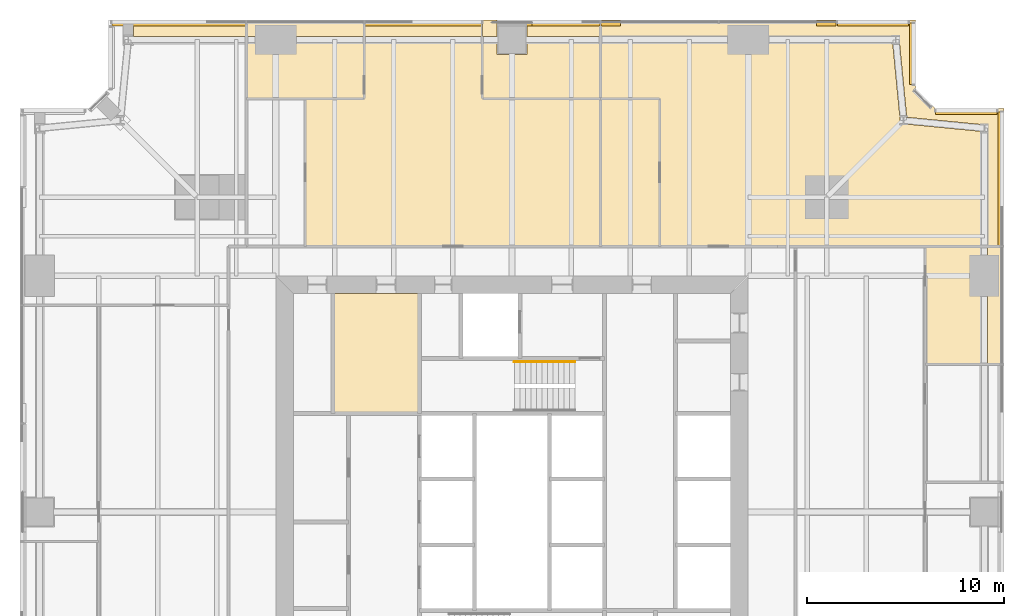
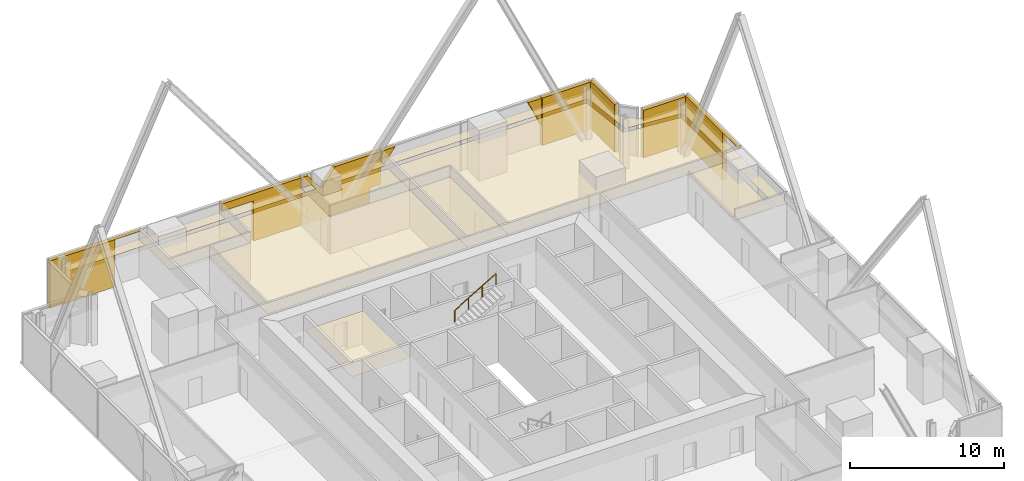
# One storey, part 13 of 13: 23 coverings, 1 railing.
"""IFC4 building model written with IfcOpenShell, lengths in metres."""

from ifc_helpers import new_model, si_unit, direction, frame, origin, origin_2d, place, context, subcontext, project, spatial, polyline, circle, outline, extrude, material, layer, layer_set, type_object, element, save


model = new_model("IFC4")

# Units and contexts
model_context = context("Model", 3, precision=1e-05, world=origin(), true_north=direction((0.0, 1.0)))
body_context = subcontext(model_context, "Body", "Model", "MODEL_VIEW")
ifc_project = project(units=[si_unit("LENGTHUNIT", "METRE"), si_unit("AREAUNIT", "SQUARE_METRE"), si_unit("VOLUMEUNIT", "CUBIC_METRE"), si_unit("PLANEANGLEUNIT", "RADIAN"), si_unit("MASSUNIT", "GRAM", prefix="KILO")], contexts=[model_context])

# Site, building, storey
site_placement = place(None, origin())
site = spatial("IfcSite", under=ifc_project, at=site_placement, CompositionType="ELEMENT")
building_placement = place(site_placement, origin())
building = spatial("IfcBuilding", under=site, at=building_placement, Name="Fenwick Lantern Interchange", CompositionType="ELEMENT")
storey_placement = place(building_placement, frame((0.0, 0.0, 114.39990234375)))
storey = spatial("IfcBuildingStorey", under=building, at=storey_placement, Name="L26", CompositionType="ELEMENT", Elevation=114.39990234375)

# Coverings
ifc_material_1 = material(Name="Mineral fibre acoustic tile on suspended grid")
ifc_layer_1 = layer(ifc_material_1, 0.02001953125)
ifc_layer_set_1 = layer_set([ifc_layer_1], Name="ACOUSTIC TILE CEILING 20")
covering_type_1 = type_object("IfcCoveringType", Name="ACOUSTIC TILE CEILING 20", PredefinedType="CEILING", material=ifc_layer_set_1)
covering_1_placement = place(storey_placement, frame((0.0, 0.0, 2.900146484375)))
element("IfcCovering", 1, at=covering_1_placement, inside=storey, type_object=covering_type_1, Name="Meeting room ceiling", PredefinedType="CEILING", context=body_context, shape_type="SweptSolid", body=[
    extrude(outline(polyline([(46.0, 32.5), (48.82763671875, 32.5), (48.82763671875, 37.0), (48.82763671875, 38.5), (46.0, 38.5), (46.0, 32.5)])), origin(), (0.0, 0.0, 1.0), 0.02001953125),
])
covering_2_placement = place(storey_placement, frame((0.0, 0.0, 2.900146484375)))
element("IfcCovering", 2, at=covering_2_placement, inside=storey, type_object=covering_type_1, Name="Meeting room ceiling", PredefinedType="CEILING", context=body_context, shape_type="SweptSolid", body=[
    extrude(outline(polyline([(50.0, 38.5), (49.17236328125, 38.5), (49.17236328125, 37.0), (49.17236328125, 32.5), (50.0, 32.5), (50.0, 38.5)])), origin(), (0.0, 0.0, 1.0), 0.02001953125),
])
covering_3_placement = place(storey_placement, frame((0.0, 0.0, 2.900146484375)))
element("IfcCovering", 3, at=covering_3_placement, inside=storey, type_object=covering_type_1, Name="Office suite ceiling", PredefinedType="CEILING", context=body_context, shape_type="SweptSolid", body=[
    extrude(outline(polyline([(29.5, 48.82763671875), (29.5, 46.0), (32.5, 46.0), (32.5, 38.5), (48.82763671875, 38.5), (48.82763671875, 44.343505859375), (44.88330078125, 44.728515625), (44.89990234375, 44.89990234375), (44.728515625, 44.88330078125), (44.343505859375, 48.82763671875), (37.0, 48.82763671875), (29.5, 48.82763671875)])), origin(), (0.0, 0.0, 1.0), 0.02001953125),
])
covering_4_placement = place(storey_placement, frame((0.0, 0.0, 2.900146484375)))
element("IfcCovering", 4, at=covering_4_placement, inside=storey, type_object=covering_type_1, Name="Office suite ceiling", PredefinedType="CEILING", context=body_context, shape_type="SweptSolid", body=[
    extrude(outline(polyline([(29.5, 50.0), (29.5, 49.17236328125), (37.0, 49.17236328125), (44.5, 49.17236328125), (44.5, 49.0), (44.671630859375, 49.016845703125), (45.057861328125, 45.057861328125), (49.016845703125, 44.671630859375), (49.0, 44.5), (49.17236328125, 44.5), (49.17236328125, 38.5), (50.0, 38.5), (50.0, 45.5), (46.5, 45.5), (45.5, 46.5), (45.5, 50.0), (29.5, 50.0)])), origin(), (0.0, 0.0, 1.0), 0.02001953125),
])
covering_5_placement = place(storey_placement, frame((0.0, 0.0, 2.900146484375)))
element("IfcCovering", 5, at=covering_5_placement, inside=storey, type_object=covering_type_1, Name="Meeting room ceiling", PredefinedType="CEILING", context=body_context, shape_type="SweptSolid", body=[
    extrude(outline(polyline([(32.5, 46.0), (29.5, 46.0), (29.5, 38.5), (32.5, 38.5), (32.5, 46.0)])), origin(), (0.0, 0.0, 1.0), 0.02001953125),
])
covering_6_placement = place(storey_placement, frame((0.0, 0.0, 2.900146484375)))
element("IfcCovering", 6, at=covering_6_placement, inside=storey, type_object=covering_type_1, Name="Office suite ceiling", PredefinedType="CEILING", context=body_context, shape_type="SweptSolid", body=[
    extrude(outline(polyline([(23.5, 46.0), (23.5, 48.82763671875), (17.5, 48.82763671875), (17.5, 46.0), (14.5, 46.0), (14.5, 38.5), (29.5, 38.5), (29.5, 46.0), (23.5, 46.0)])), origin(), (0.0, 0.0, 1.0), 0.02001953125),
])
covering_7_placement = place(storey_placement, frame((0.0, 0.0, 2.900146484375)))
element("IfcCovering", 7, at=covering_7_placement, inside=storey, type_object=covering_type_1, Name="Office suite ceiling", PredefinedType="CEILING", context=body_context, shape_type="SweptSolid", body=[
    extrude(outline(polyline([(23.5, 50.0), (17.5, 50.0), (17.5, 49.17236328125), (23.5, 49.17236328125), (23.5, 50.0)])), origin(), (0.0, 0.0, 1.0), 0.02001953125),
])
covering_8_placement = place(storey_placement, frame((0.0, 0.0, 2.900146484375)))
element("IfcCovering", 8, at=covering_8_placement, inside=storey, type_object=covering_type_1, Name="Office ceiling", PredefinedType="CEILING", context=body_context, shape_type="SweptSolid", body=[
    extrude(outline(polyline([(29.5, 46.0), (29.5, 48.82763671875), (25.75, 48.82763671875), (25.75, 48.25), (24.25, 48.25), (24.25, 48.82763671875), (23.5, 48.82763671875), (23.5, 46.0), (29.5, 46.0)])), origin(), (0.0, 0.0, 1.0), 0.02001953125),
])
covering_9_placement = place(storey_placement, frame((0.0, 0.0, 2.900146484375)))
element("IfcCovering", 9, at=covering_9_placement, inside=storey, type_object=covering_type_1, Name="Office ceiling", PredefinedType="CEILING", context=body_context, shape_type="SweptSolid", body=[
    extrude(outline(polyline([(29.5, 49.17236328125), (29.5, 50.0), (25.75, 50.0), (25.75, 49.17236328125), (29.5, 49.17236328125)])), origin(), (0.0, 0.0, 1.0), 0.02001953125),
])
covering_10_placement = place(storey_placement, frame((0.0, 0.0, 2.900146484375)))
element("IfcCovering", 10, at=covering_10_placement, inside=storey, type_object=covering_type_1, Name="Office ceiling", PredefinedType="CEILING", context=body_context, shape_type="SweptSolid", body=[
    extrude(outline(polyline([(23.5, 50.0), (23.5, 49.17236328125), (24.25, 49.17236328125), (24.25, 50.0), (23.5, 50.0)])), origin(), (0.0, 0.0, 1.0), 0.02001953125),
])
covering_11_placement = place(storey_placement, frame((0.0, 0.0, 2.900146484375)))
element("IfcCovering", 11, at=covering_11_placement, inside=storey, type_object=covering_type_1, Name="Office ceiling", PredefinedType="CEILING", context=body_context, shape_type="SweptSolid", body=[
    extrude(outline(polyline([(17.5, 46.0), (17.5, 48.82763671875), (13.0, 48.82763671875), (11.5, 48.82763671875), (11.5, 46.0), (17.5, 46.0)])), origin(), (0.0, 0.0, 1.0), 0.02001953125),
])
covering_12_placement = place(storey_placement, frame((0.0, 0.0, 2.900146484375)))
element("IfcCovering", 12, at=covering_12_placement, inside=storey, type_object=covering_type_1, Name="Office ceiling", PredefinedType="CEILING", context=body_context, shape_type="SweptSolid", body=[
    extrude(outline(polyline([(11.5, 50.0), (11.5, 49.17236328125), (13.0, 49.17236328125), (17.5, 49.17236328125), (17.5, 50.0), (11.5, 50.0)])), origin(), (0.0, 0.0, 1.0), 0.02001953125),
])
covering_13_placement = place(storey_placement, frame((0.0, 0.0, 2.900146484375)))
element("IfcCovering", 13, at=covering_13_placement, inside=storey, type_object=covering_type_1, Name="Office study ceiling", PredefinedType="CEILING", context=body_context, shape_type="SweptSolid", body=[
    extrude(outline(polyline([(5.76220703125, 50.0), (5.76220703125, 49.17236328125), (11.5, 49.17236328125), (11.5, 50.0), (5.76220703125, 50.0)])), origin(), (0.0, 0.0, 1.0), 0.02001953125),
])
ifc_material_2 = material(Name="Granite cladding, warm grey flamed finish, on aluminium carrier frame", Category="masonry")
ifc_layer_2 = layer(ifc_material_2, 0.300048828125)
ifc_layer_set_2 = layer_set([ifc_layer_2], Name="BRACE CASING PANEL 300")
covering_type_2 = type_object("IfcCoveringType", Name="BRACE CASING PANEL 300", PredefinedType="CLADDING", material=ifc_layer_set_2)
covering_14_placement = place(storey_placement, frame((49.89990234375, 4.60009765625, 0.0), z_axis=(0.0, 0.0, 1.0), x_axis=(0.0, 1.0, 0.0)))
element("IfcCovering", 14, at=covering_14_placement, inside=storey, type_object=covering_type_2, Name="Brace casing 05 bay 06a", PredefinedType="CLADDING", context=body_context, shape_type="SweptSolid", body=[
    extrude(outline(polyline([(35.87255859375, 0.0), (40.735107421875, 0.0), (40.735107421875, 3.75), (33.9326171875, 3.75), (33.9326171875, 3.7451171875), (35.87255859375, 3.7451171875), (35.87255859375, 0.0)])), frame((0.0, 0.2001953125, 0.0), z_axis=(0.0, -1.0, 0.0), x_axis=(1.0, 0.0, 0.0)), (0.0, 0.0, 1.0), 0.300048828125),
])
for number, where, z_axis, x_axis, name in (
    (15, (49.89990234375, 45.39990234375, 0.0), (0.0, 0.0, 1.0), (-1.0, 0.0, 0.0), "Brace casing 06 bay 00a"),
    (16, (45.39990234375, 46.45849609375, 0.0), (0.0, 0.0, 1.0), (0.0, 1.0, 0.0), "Brace casing 08 bay 00a"),
):
    element("IfcCovering", number, at=place(storey_placement, frame(where, z_axis=z_axis, x_axis=x_axis)), inside=storey, type_object=covering_type_2, Name=name, PredefinedType="CLADDING", context=body_context, shape_type="SweptSolid", body=[
        extrude(outline(polyline([(0.264892578125, 0.0), (3.37646484375, 0.0), (3.37646484375, 3.75), (0.264892578125, 3.75), (0.264892578125, 0.0)])), frame((0.0, 0.2001953125, 0.0), z_axis=(0.0, -1.0, 0.0), x_axis=(1.0, 0.0, 0.0)), (0.0, 0.0, 1.0), 0.300048828125),
    ])
covering_15_placement = place(storey_placement, frame((45.39990234375, 49.89990234375, 0.0), z_axis=(0.0, 0.0, 1.0), x_axis=(-1.0, 0.0, 0.0)))
element("IfcCovering", 17, at=covering_15_placement, inside=storey, type_object=covering_type_2, Name="Brace casing 09 bay 00a", PredefinedType="CLADDING", context=body_context, shape_type="SweptSolid", body=[
    extrude(outline(polyline([(0.264892578125, 0.0), (3.867431640625, 0.0), (3.867431640625, 3.75), (0.264892578125, 3.75), (0.264892578125, 0.0)])), frame((0.0, 0.2001953125, 0.0), z_axis=(0.0, -1.0, 0.0), x_axis=(1.0, 0.0, 0.0)), (0.0, 0.0, 1.0), 0.300048828125),
])
covering_16_placement = place(storey_placement, frame((45.39990234375, 49.89990234375, 1.62255859375), z_axis=(0.0, 0.0, 1.0), x_axis=(-1.0, 0.0, 0.0)))
element("IfcCovering", 18, at=covering_16_placement, inside=storey, type_object=covering_type_2, Name="Brace casing 09 bay 01a", PredefinedType="CLADDING", context=body_context, shape_type="SweptSolid", body=[
    extrude(outline(polyline([(3.9326171875, 0.0), (4.9296875, 2.12744140625), (3.9326171875, 2.12744140625), (3.9326171875, 0.0)])), frame((0.0, 0.2001953125, 0.0), z_axis=(0.0, -1.0, 0.0), x_axis=(1.0, 0.0, 0.0)), (0.0, 0.0, 1.0), 0.300048828125),
])
covering_17_placement = place(storey_placement, frame((45.39990234375, 49.89990234375, 2.4375), z_axis=(0.0, 0.0, 1.0), x_axis=(-1.0, 0.0, 0.0)))
element("IfcCovering", 19, at=covering_17_placement, inside=storey, type_object=covering_type_2, Name="Brace casing 09 bay 02a", PredefinedType="CLADDING", context=body_context, shape_type="SweptSolid", body=[
    extrude(outline(polyline([(15.867431640625, 0.0), (15.867431640625, 1.3125), (14.883056640625, 1.3125), (15.867431640625, 0.0)])), frame((0.0, 0.2001953125, 0.0), z_axis=(0.0, -1.0, 0.0), x_axis=(1.0, 0.0, 0.0)), (0.0, 0.0, 1.0), 0.300048828125),
])
covering_18_placement = place(storey_placement, frame((45.39990234375, 49.89990234375, 0.0), z_axis=(0.0, 0.0, 1.0), x_axis=(-1.0, 0.0, 0.0)))
element("IfcCovering", 20, at=covering_18_placement, inside=storey, type_object=covering_type_2, Name="Brace casing 09 bay 03a", PredefinedType="CLADDING", context=body_context, shape_type="SweptSolid", body=[
    extrude(outline(polyline([(16.8125, 0.0), (21.867431640625, 0.0), (21.867431640625, 3.75), (21.4169921875, 3.75), (20.39990234375, 2.39404296875), (19.383056640625, 3.75), (15.9326171875, 3.75), (15.9326171875, 1.177490234375), (16.8125, 1.177490234375), (16.8125, 0.0)])), frame((0.0, 0.2001953125, 0.0), z_axis=(0.0, -1.0, 0.0), x_axis=(1.0, 0.0, 0.0)), (0.0, 0.0, 1.0), 0.300048828125),
])
covering_19_placement = place(storey_placement, frame((45.39990234375, 49.89990234375, 0.0), z_axis=(0.0, 0.0, 1.0), x_axis=(-1.0, 0.0, 0.0)))
element("IfcCovering", 21, at=covering_19_placement, inside=storey, type_object=covering_type_2, Name="Brace casing 09 bay 04a", PredefinedType="CLADDING", context=body_context, shape_type="SweptSolid", body=[
    extrude(outline(polyline([(21.9326171875, 0.0), (25.484375, 0.0), (25.484375, 3.17333984375), (27.867431640625, 3.17333984375), (27.867431640625, 3.75), (21.9326171875, 3.75), (21.9326171875, 0.0)])), frame((0.0, 0.2001953125, 0.0), z_axis=(0.0, -1.0, 0.0), x_axis=(1.0, 0.0, 0.0)), (0.0, 0.0, 1.0), 0.300048828125),
])
covering_20_placement = place(storey_placement, frame((45.39990234375, 49.89990234375, 0.0), z_axis=(0.0, 0.0, 1.0), x_axis=(-1.0, 0.0, 0.0)))
element("IfcCovering", 22, at=covering_20_placement, inside=storey, type_object=covering_type_2, Name="Brace casing 09 bay 06a", PredefinedType="CLADDING", context=body_context, shape_type="SweptSolid", body=[
    extrude(outline(polyline([(35.87255859375, 0.0), (40.735107421875, 0.0), (40.735107421875, 3.75), (33.9326171875, 3.75), (33.9326171875, 3.7451171875), (35.87255859375, 3.7451171875), (35.87255859375, 0.0)])), frame((0.0, 0.2001953125, 0.0), z_axis=(0.0, -1.0, 0.0), x_axis=(1.0, 0.0, 0.0)), (0.0, 0.0, 1.0), 0.300048828125),
])

# Railing
ifc_material_3 = material(Name="Stainless steel handrail", Category="steel")
railing_type = type_object("IfcRailingType", Name="HANDRAIL 900", PredefinedType="HANDRAIL", material=ifc_material_3)
railing_placement = place(storey_placement, frame((25.1201171875, 32.6259765625, 2.166748046875)))
element("IfcRailing", 23, at=railing_placement, inside=storey, type_object=railing_type, Name="L26/STAIR/ST2/HR2", PredefinedType="HANDRAIL", context=body_context, shape_type="SweptSolid", body=[
    extrude(circle(Radius=0.02392578125, at=origin_2d()), frame((0.0, 0.0, 0.8759765625), z_axis=(0.859290745958, 0.0, 0.51148745235), x_axis=(0.0, 1.0, 0.0)), (0.0, 0.0, 1.0), 3.584228515625),
    extrude(circle(Radius=0.02099609375, at=origin_2d()), origin(), (0.0, 0.0, 1.0), 0.851806640625),
    extrude(circle(Radius=0.02099609375, at=origin_2d()), frame((1.026611328125, 0.0, 0.611083984375)), (0.0, 0.0, 1.0), 0.851806640625),
    extrude(circle(Radius=0.02099609375, at=origin_2d()), frame((2.05322265625, 0.0, 1.22216796875)), (0.0, 0.0, 1.0), 0.851806640625),
    extrude(circle(Radius=0.02099609375, at=origin_2d()), frame((3.079833984375, 0.0, 1.833251953125)), (0.0, 0.0, 1.0), 0.851806640625),
])

# Covering
ifc_material_4 = material(Name="Moisture resistant gypsum board on suspended frame, painted")
ifc_layer_3 = layer(ifc_material_4, 0.014892578125)
ifc_layer_set_3 = layer_set([ifc_layer_3], Name="MOISTURE RESISTANT CEILING 15")
covering_type_3 = type_object("IfcCoveringType", Name="MOISTURE RESISTANT CEILING 15", PredefinedType="CEILING", material=ifc_layer_set_3)
covering_21_placement = place(storey_placement, frame((0.0, 0.0, 2.60009765625)))
element("IfcCovering", 24, at=covering_21_placement, inside=storey, type_object=covering_type_3, Name="Women's WC ceiling", PredefinedType="CEILING", context=body_context, shape_type="SweptSolid", body=[
    extrude(outline(polyline([(20.300048828125, 36.10009765625), (15.89990234375, 36.10009765625), (15.89990234375, 30.0), (20.300048828125, 30.0), (20.300048828125, 36.10009765625)])), origin(), (0.0, 0.0, 1.0), 0.014892578125),
])

save(model, "model.ifc")
